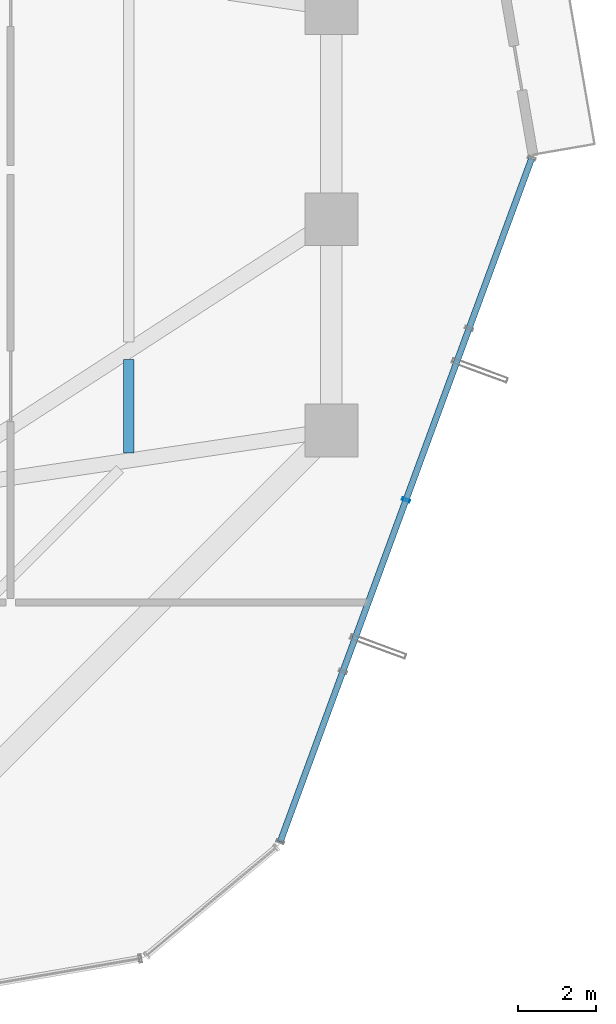
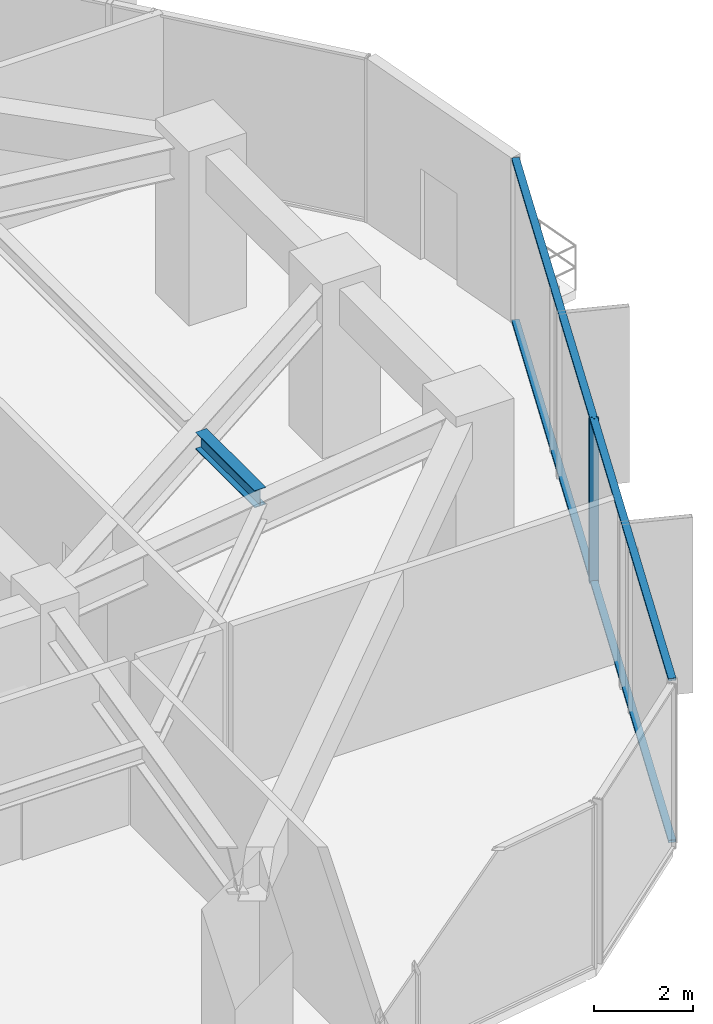
# One storey, part 15 of 35: 3 members, 1 beam, 1 element without a shape of its own.
"""IFC4 building model written with IfcOpenShell, lengths in metres."""

from ifc_helpers import new_model, si_unit, direction, frame, origin, origin_2d, place, context, subcontext, project, spatial, hollow_rectangle, i_section, extrude, source, transform, mapped, material, layer, layer_set, material_profile, profile_set, type_object, element, aggregate, save


model = new_model("IFC4")

# Units and contexts
model_context = context("Model", 3, precision=1e-05, world=origin(), true_north=direction((0.0, 1.0)))
body_context = subcontext(model_context, "Body", "Model", "MODEL_VIEW")
ifc_project = project(units=[si_unit("LENGTHUNIT", "METRE"), si_unit("AREAUNIT", "SQUARE_METRE"), si_unit("VOLUMEUNIT", "CUBIC_METRE"), si_unit("PLANEANGLEUNIT", "RADIAN"), si_unit("MASSUNIT", "GRAM", prefix="KILO")], contexts=[model_context])

# Site, building, storey
site_placement = place(None, origin())
site = spatial("IfcSite", under=ifc_project, at=site_placement, CompositionType="ELEMENT")
building_placement = place(site_placement, origin())
building = spatial("IfcBuilding", under=site, at=building_placement, Name="Veraguas Prism Commons", CompositionType="ELEMENT")
storey_placement = place(building_placement, frame((0.0, 0.0, 56.550048828125)))
storey = spatial("IfcBuildingStorey", under=building, at=storey_placement, Name="L15", CompositionType="ELEMENT", Elevation=56.550048828125)

# Beam
ifc_material_1 = material(Name="Steel ASTM A992 Grade 50", Category="steel")
ifc_material_profile_1 = material_profile(ifc_material_1, i_section(OverallWidth=0.260986328125, OverallDepth=0.419921875, WebThickness=0.01171875, FlangeThickness=0.019287109375, at=origin_2d()), Name="W410X114")
ifc_profile_set_1 = profile_set([ifc_material_profile_1], Name="Steel ASTM A992 Grade 50")
beam_type = type_object("IfcBeamType", Name="Lower Floor Joist W410x114", PredefinedType="JOIST", material=ifc_profile_set_1)
beam_placement = place(storey_placement, frame((36.416015625, 18.023193359375, 3.83984375), z_axis=(0.0, 1.0, 0.0), x_axis=(-1.0, 0.0, 0.0)))
element("IfcBeam", 1, at=beam_placement, inside=storey, type_object=beam_type, Name="Composite Floor Joist L15-JS01", PredefinedType="JOIST", context=body_context, shape_type="SweptSolid", body=[
    extrude(i_section(OverallWidth=0.260986328125, OverallDepth=0.419921875, WebThickness=0.01171875, FlangeThickness=0.019287109375, at=origin_2d()), origin(), (0.0, 0.0, 1.0), 2.3916015625),
])

# Curtain wall, members
ifc_material_2 = material(Name="Anodised aluminium EN AW-6063 T6", Category="aluminium")
ifc_layer = layer(ifc_material_2, 0.199951171875, Name="Sky Lobby and Pool Acoustic Curtain Wall", Category="aluminium")
ifc_layer_set = layer_set([ifc_layer], Name="Anodised aluminium EN AW-6063 T6")
curtain_wall_type = type_object("IfcCurtainWallType", Name="Sky Lobby and Pool Acoustic Curtain Wall", PredefinedType="NOTDEFINED", material=ifc_layer_set)
curtain_wall_placement = place(storey_placement, origin())
curtain_wall = element("IfcCurtainWall", 2, at=curtain_wall_placement, inside=storey, type_object=curtain_wall_type, Name="Tower Facade Curtain Wall L15-F6", PredefinedType="NOTDEFINED")
ifc_material_profile_2 = material_profile(ifc_material_2, hollow_rectangle(XDim=0.06494140625, YDim=0.199951171875, WallThickness=0.00390625, at=origin_2d()), Name="AL65X200X4")
ifc_profile_set_2 = profile_set([ifc_material_profile_2], Name="Anodised aluminium EN AW-6063 T6")
member_type_1 = type_object("IfcMemberType", Name="Curtain Wall Mullion Heavy AL 65x200x4", PredefinedType="MULLION", material=ifc_profile_set_2)
shared_shape_1 = source(origin(), body_context, "Body", "SweptSolid", [
    extrude(hollow_rectangle(XDim=0.06494140625, YDim=0.199951171875, WallThickness=0.00390625, at=origin_2d()), origin(), (0.0, 0.0, 1.0), 4.050048828125),
])
member_1_placement = place(storey_placement, frame((43.506103515625, 16.8232421875, 0.0), z_axis=(0.0, 0.0, 1.0), x_axis=(0.345301474955, 0.938491817436, 0.0)))
member_1 = element("IfcMember", 3, at=member_1_placement, type_object=member_type_1, Name="CW-SKY Mullion 3", PredefinedType="MULLION", context=body_context, shape_type="MappedRepresentation", body=[
    mapped(shared_shape_1, transform((0.0, 0.0, 0.0), scale=1.0)),
])
ifc_material_profile_3 = material_profile(ifc_material_2, hollow_rectangle(XDim=0.06005859375, YDim=0.159912109375, WallThickness=0.0029296875, at=origin_2d()), Name="AL60X160X3")
ifc_profile_set_3 = profile_set([ifc_material_profile_3], Name="Anodised aluminium EN AW-6063 T6")
member_type_2 = type_object("IfcMemberType", Name="Curtain Wall Transom Heavy AL 60x160x3", PredefinedType="USERDEFINED", material=ifc_profile_set_3)
shared_shape_2 = source(origin(), body_context, "Body", "SweptSolid", [
    extrude(hollow_rectangle(XDim=0.06005859375, YDim=0.159912109375, WallThickness=0.0029296875, at=origin_2d()), origin(), (0.0, 0.0, 1.0), 18.619140625),
])
member_2_placement = place(storey_placement, frame((40.29150390625, 8.086181640625, 0.030029296875), z_axis=(0.345301241801, 0.938491903221, 0.0), x_axis=(0.0, 0.0, 1.0)))
member_2 = element("IfcMember", 4, at=member_2_placement, type_object=member_type_2, Name="CW-SKY Transom 1", ObjectType="TRANSOM", PredefinedType="USERDEFINED", context=body_context, shape_type="MappedRepresentation", body=[
    mapped(shared_shape_2, transform((0.0, 0.0, 0.0), scale=1.0)),
])
member_3_placement = place(storey_placement, frame((40.29150390625, 8.086181640625, 4.02001953125), z_axis=(0.345301241801, 0.938491903221, 0.0), x_axis=(0.0, 0.0, 1.0)))
member_3 = element("IfcMember", 5, at=member_3_placement, type_object=member_type_2, Name="CW-SKY Transom 2", ObjectType="TRANSOM", PredefinedType="USERDEFINED", context=body_context, shape_type="MappedRepresentation", body=[
    mapped(shared_shape_2, transform((0.0, 0.0, 0.0), scale=1.0)),
])
aggregate(curtain_wall, [member_1, member_2, member_3])

save(model, "model.ifc")
